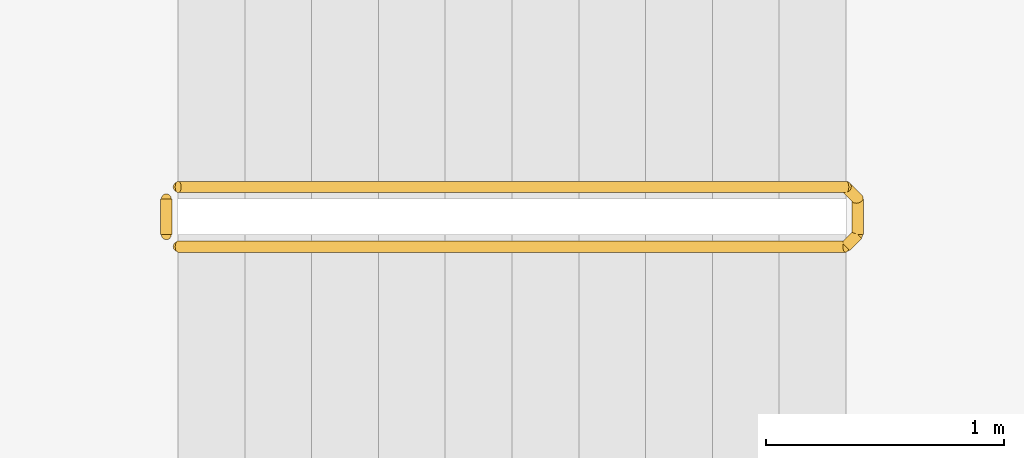
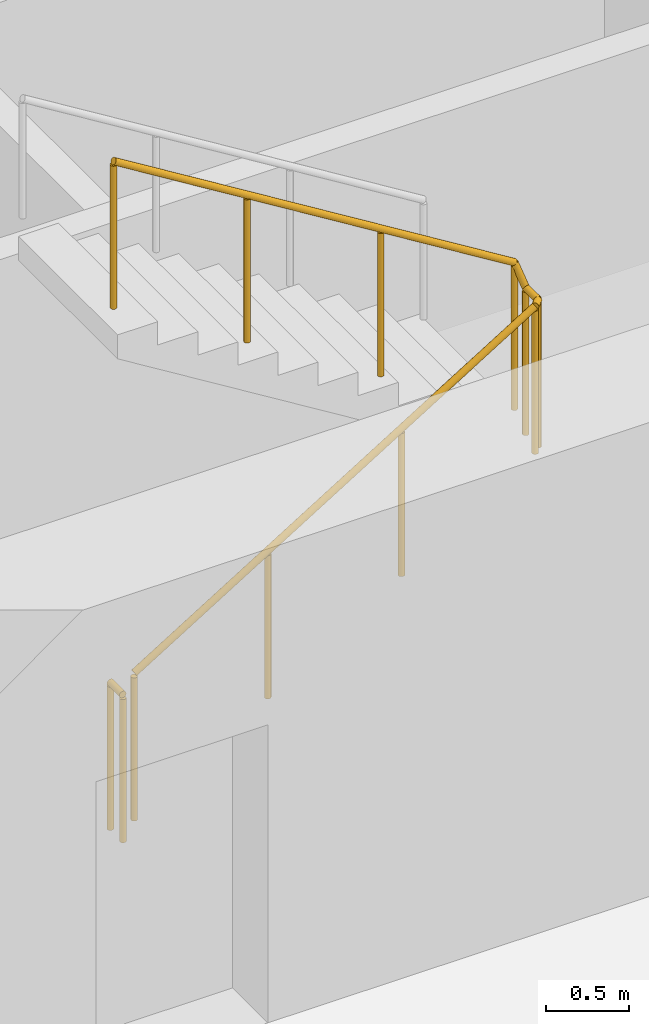
# One storey, part 10 of 14: 2 railings.
"""IFC4 building model written with IfcOpenShell, lengths in metres."""

from ifc_helpers import new_model, si_unit, direction, frame, origin, origin_2d, place, context, subcontext, project, spatial, circle, extrude, material, type_object, element, save


model = new_model("IFC4")

# Units and contexts
model_context = context("Model", 3, precision=1e-05, world=origin(), true_north=direction((0.0, 1.0)))
body_context = subcontext(model_context, "Body", "Model", "MODEL_VIEW")
ifc_project = project(units=[si_unit("LENGTHUNIT", "METRE"), si_unit("AREAUNIT", "SQUARE_METRE"), si_unit("VOLUMEUNIT", "CUBIC_METRE"), si_unit("PLANEANGLEUNIT", "RADIAN"), si_unit("MASSUNIT", "GRAM", prefix="KILO")], contexts=[model_context])

# Site, building, storey
site_placement = place(None, origin())
site = spatial("IfcSite", under=ifc_project, at=site_placement, CompositionType="ELEMENT")
building_placement = place(site_placement, origin())
building = spatial("IfcBuilding", under=site, at=building_placement, Name="Orbiselva Terraces", CompositionType="ELEMENT")
storey_placement = place(building_placement, frame((0.0, 0.0, 111.2)))
storey = spatial("IfcBuildingStorey", under=building, at=storey_placement, Name="L28", CompositionType="ELEMENT", Elevation=111.2)

# Railings
ifc_material = material(Name="Stainless steel", Category="steel")
railing_type = type_object("IfcRailingType", Name="CORE-GUARD-1100", PredefinedType="GUARDRAIL", material=ifc_material)
railing_1_placement = place(storey_placement, frame((-7.15, 6.55, 0.172727)))
element("IfcRailing", 1, at=railing_1_placement, inside=storey, type_object=railing_type, Name="L28 S3 stair guard 1", PredefinedType="GUARDRAIL", context=body_context, shape_type="SweptSolid", body=[
    extrude(circle(Radius=0.024, at=origin_2d()), frame((0.0, 0.0, 1.081), z_axis=(0.851088519012, 0.0, 0.52502222125), x_axis=(0.0, 1.0, 0.0)), (0.0, 0.0, 1.0), 3.289905),
    extrude(circle(Radius=0.024, at=origin_2d()), frame((2.8, 0.0, 2.808273), z_axis=(0.707106781187, 0.707106781187, 0.0), x_axis=(-0.707106781187, 0.707106781187, 0.0)), (0.0, 0.0, 1.0), 0.070711),
    extrude(circle(Radius=0.024, at=origin_2d()), frame((2.85, 0.05, 2.808273), z_axis=(0.0, 1.0, 0.0), x_axis=(-1.0, 0.0, 0.0)), (0.0, 0.0, 1.0), 0.15),
    extrude(circle(Radius=0.024, at=origin_2d()), frame((2.85, 0.2, 2.808273), z_axis=(-0.267894925557, 0.267894925557, 0.925453736133), x_axis=(-0.707106781187, -0.707106781187, 0.0)), (0.0, 0.0, 1.0), 0.18664),
    extrude(circle(Radius=0.024, at=origin_2d()), frame((2.8, 0.25, 2.981), z_axis=(-0.851088519012, 0.0, 0.52502222125), x_axis=(0.0, -1.0, 0.0)), (0.0, 0.0, 1.0), 3.289905),
    extrude(circle(Radius=0.021, at=origin_2d()), origin(), (0.0, 0.0, 1.0), 1.057),
    extrude(circle(Radius=0.021, at=origin_2d()), frame((0.933333, 0.0, 0.575758)), (0.0, 0.0, 1.0), 1.057),
    extrude(circle(Radius=0.021, at=origin_2d()), frame((1.866667, 0.0, 1.151515)), (0.0, 0.0, 1.0), 1.057),
    extrude(circle(Radius=0.021, at=origin_2d()), frame((2.8, 0.0, 1.727273)), (0.0, 0.0, 1.0), 1.057),
    extrude(circle(Radius=0.021, at=origin_2d()), frame((2.85, 0.05, 1.727273)), (0.0, 0.0, 1.0), 1.057),
    extrude(circle(Radius=0.021, at=origin_2d()), frame((2.85, 0.2, 1.727273)), (0.0, 0.0, 1.0), 1.057),
    extrude(circle(Radius=0.021, at=origin_2d()), frame((2.8, 0.25, 1.9)), (0.0, 0.0, 1.0), 1.057),
    extrude(circle(Radius=0.021, at=origin_2d()), frame((1.866667, 0.25, 2.475758)), (0.0, 0.0, 1.0), 1.057),
    extrude(circle(Radius=0.021, at=origin_2d()), frame((0.933333, 0.25, 3.051515)), (0.0, 0.0, 1.0), 1.057),
    extrude(circle(Radius=0.021, at=origin_2d()), frame((0.0, 0.25, 3.627273)), (0.0, 0.0, 1.0), 1.057),
])
railing_2_placement = place(storey_placement, frame((-7.2, 6.6, 0.0)))
element("IfcRailing", 2, at=railing_2_placement, inside=storey, type_object=railing_type, Name="L28 S3 stair guard 2", PredefinedType="GUARDRAIL", context=body_context, shape_type="SweptSolid", body=[
    extrude(circle(Radius=0.024, at=origin_2d()), frame((0.0, 0.0, 1.081), z_axis=(0.0, 1.0, 0.0), x_axis=(-1.0, 0.0, 0.0)), (0.0, 0.0, 1.0), 0.15),
    extrude(circle(Radius=0.021, at=origin_2d()), origin(), (0.0, 0.0, 1.0), 1.057),
    extrude(circle(Radius=0.021, at=origin_2d()), frame((0.0, 0.15, 0.0)), (0.0, 0.0, 1.0), 1.057),
])

save(model, "model.ifc")
